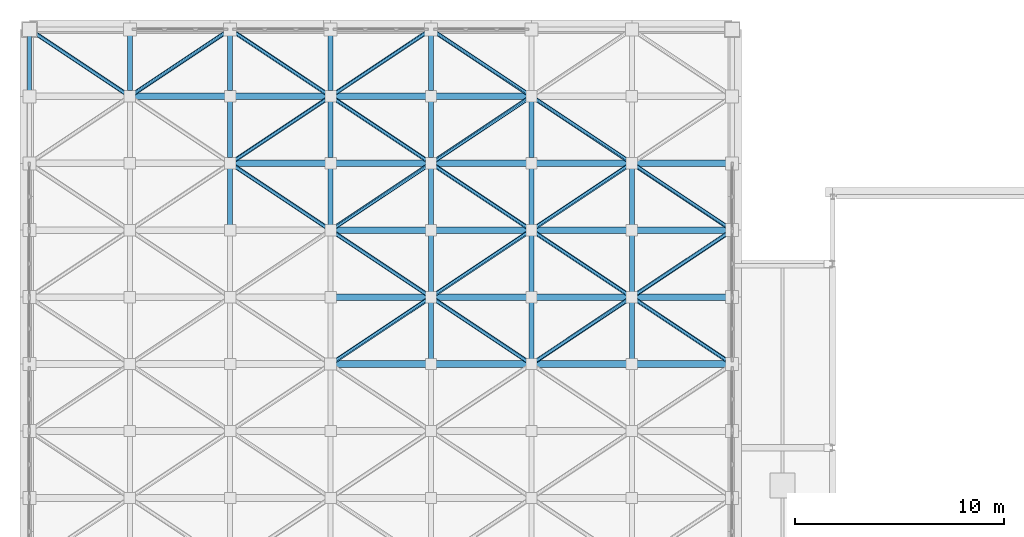
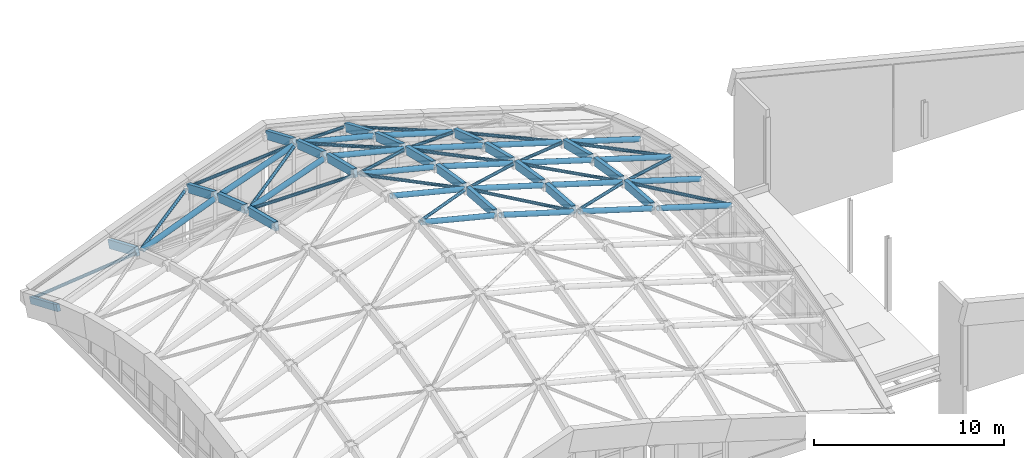
# One storey, part 6 of 14: 63 members.
"""IFC4 building model written with IfcOpenShell, lengths in metres."""

import ifcopenshell
import ifcopenshell.guid

model = None  # the IFC model being written
_history = None  # IfcOwnerHistory: only IFC2X3 demands one
_inside = {}  # id of a spatial element -> (the spatial element, [elements in it])
_under = {}  # id of a project, library or spatial element -> (it, [spatial elements below it])
_declared = {}  # id of a project -> (the project, [libraries it declares])
_typed = {}  # id of a type object -> (the type object, [elements of that type])
_made_of = {}  # id of a material, layer set ... -> (it, [elements and type objects made of it])


def new_model(schema):
    """Start an empty IFC model of exactly this schema.

    Asked for "IFC4X3", IfcOpenShell would pick the latest addendum, in which some entities
    have other attributes; the version numbers below select the first issue.
    IFC2X3 requires an IfcOwnerHistory on every rooted entity: one is made here for all.
    """
    global model, _history
    if schema == "IFC4X3":
        model = ifcopenshell.file(schema_version=(4, 3, 0, 0))
    else:
        model = ifcopenshell.file(schema=schema)
    _inside.clear()
    _under.clear()
    _declared.clear()
    _typed.clear()
    _made_of.clear()
    _history = None
    if model.schema == "IFC2X3":
        org = make("IfcOrganization", Name="unknown")
        user = make(
            "IfcPersonAndOrganization",
            ThePerson=make("IfcPerson", FamilyName="unknown"),
            TheOrganization=org,
        )
        app = make(
            "IfcApplication",
            ApplicationDeveloper=org,
            Version="unknown",
            ApplicationFullName="unknown",
            ApplicationIdentifier="unknown",
        )
        _history = make(
            "IfcOwnerHistory",
            OwningUser=user,
            OwningApplication=app,
            ChangeAction="ADDED",
            CreationDate=0,
        )
    return model


def make(cls, **values):
    """One entity of the class cls with the attributes given. An attribute that is None is left unset."""
    return model.create_entity(
        cls, **{name: value for name, value in values.items() if value is not None}
    )


def rooted(cls, **values):
    """An entity with a GlobalId (a new one), such as an element, a storey or a relation."""
    return make(cls, GlobalId=ifcopenshell.guid.new(), OwnerHistory=_history, **values)


def si_unit(unit_type, name, prefix=None):
    """IfcSIUnit, for example si_unit("LENGTHUNIT", "METRE", prefix="MILLI")."""
    return make("IfcSIUnit", UnitType=unit_type, Prefix=prefix, Name=name)


def assignment(units):
    """IfcUnitAssignment: the units of a project."""
    return None if units is None else make("IfcUnitAssignment", Units=units)


def point(xyz):
    """IfcCartesianPoint."""
    return None if xyz is None else make("IfcCartesianPoint", Coordinates=xyz)


def direction(xyz):
    """IfcDirection."""
    return None if xyz is None else make("IfcDirection", DirectionRatios=xyz)


def frame(location, z_axis=None, x_axis=None):
    """IfcAxis2Placement3D, a coordinate frame: its origin and axes. An axis left out is left unset."""
    return make(
        "IfcAxis2Placement3D",
        Location=point(location),
        Axis=direction(z_axis),
        RefDirection=direction(x_axis),
    )


def frame_2d(location, x_axis=None):
    """IfcAxis2Placement2D, a coordinate frame in the plane: its origin and x axis."""
    return make(
        "IfcAxis2Placement2D", Location=point(location), RefDirection=direction(x_axis)
    )


def origin():
    """The frame at (0, 0, 0) with its axes left unset."""
    return frame((0.0, 0.0, 0.0))


def origin_2d():
    """The frame at (0, 0) in the plane with its x axis left unset."""
    return frame_2d((0.0, 0.0))


def place(relative_to, where):
    """IfcLocalPlacement: puts the frame where relative to a parent placement (None: the world)."""
    return make(
        "IfcLocalPlacement", PlacementRelTo=relative_to, RelativePlacement=where
    )


def context(
    kind, dimensions, precision=None, world=None, true_north=None, identifier=None
):
    """IfcGeometricRepresentationContext, for example the 3D "Model" context."""
    return make(
        "IfcGeometricRepresentationContext",
        ContextIdentifier=identifier,
        ContextType=kind,
        CoordinateSpaceDimension=dimensions,
        Precision=precision,
        WorldCoordinateSystem=world,
        TrueNorth=true_north,
    )


def subcontext(parent, identifier, kind, view, scale=None):
    """IfcGeometricRepresentationSubContext, for example "Body" below "Model"."""
    return make(
        "IfcGeometricRepresentationSubContext",
        ContextIdentifier=identifier,
        ContextType=kind,
        ParentContext=parent,
        TargetScale=scale,
        TargetView=view,
    )


def project(units=None, contexts=None):
    """IfcProject with its units and contexts."""
    return rooted(
        "IfcProject",
        Name="project",
        RepresentationContexts=contexts,
        UnitsInContext=assignment(units),
    )


def spatial(cls, under=None, at=None, **own):
    """A site, building, storey or space (cls), placed at a placement, below another one or the project."""
    s = rooted(cls, ObjectPlacement=at, **own)
    if under is not None:
        _under.setdefault(under.id(), (under, []))[1].append(s)
    return s


def profile(cls, at=None, kind="AREA", **sizes):
    """A parametric profile (cls). Its sizes go by their IFC names, for example OverallWidth=200.0."""
    return make(cls, ProfileType=kind, Position=at, **sizes)


def rectangle(**sizes):
    """IfcRectangleProfileDef."""
    return profile("IfcRectangleProfileDef", **sizes)


def hollow_circle(**sizes):
    """IfcCircleHollowProfileDef."""
    return profile("IfcCircleHollowProfileDef", **sizes)


def extrude(swept, where, along, depth):
    """IfcExtrudedAreaSolid: the profile swept, set in the frame where, extruded along a direction by depth."""
    return make(
        "IfcExtrudedAreaSolid",
        SweptArea=swept,
        Position=where,
        ExtrudedDirection=direction(along),
        Depth=depth,
    )


def shape(context_of_items, identifier, shape_type, items):
    """IfcShapeRepresentation: the items that make up one representation, for example the "Body"."""
    return make(
        "IfcShapeRepresentation",
        ContextOfItems=context_of_items,
        RepresentationIdentifier=identifier,
        RepresentationType=shape_type,
        Items=items,
    )


def material(Name=None, Category=None):
    """IfcMaterial."""
    return make("IfcMaterial", Name=Name, Category=Category)


def material_profile(
    of_material, cross_section, Name=None, Category=None, Priority=None
):
    """IfcMaterialProfile: a cross section and its material."""
    return make(
        "IfcMaterialProfile",
        Name=Name,
        Material=of_material,
        Profile=cross_section,
        Priority=Priority,
        Category=Category,
    )


def profile_set(profiles, Name=None, composite=None):
    """IfcMaterialProfileSet."""
    return make(
        "IfcMaterialProfileSet",
        Name=Name,
        MaterialProfiles=profiles,
        CompositeProfile=composite,
    )


def made_of(thing, what):
    """Note that an element or type object is made of a material, layer set ...; save() writes the relation."""
    if what is not None:
        _made_of.setdefault(what.id(), (what, []))[1].append(thing)
    return thing


def type_object(cls, material=None, **own):
    """A type object (cls), such as IfcWallType, which elements share."""
    return made_of(rooted(cls, **own), material)


def element(
    cls,
    number,
    at=None,
    inside=None,
    cuts=None,
    type_object=None,
    material=None,
    context=None,
    identifier="Body",
    shape_type=None,
    held_by="IfcProductDefinitionShape",
    body=None,
    shapes=None,
    **own,
):
    """One element of the class cls, such as IfcWall. Its Tag is "e" and its number.

    at: its placement. inside: the storey or other place that contains it. cuts: it is an
    opening in that element (IfcRelVoidsElement). A single representation is given by context,
    identifier, shape_type and body (its items); several are given by shapes. held_by: the class
    of the entity that holds the representations. save() writes the other relations.
    """
    e = rooted(cls, Tag="e%d" % number, ObjectPlacement=at, **own)
    if body is not None:
        shapes = [shape(context, identifier, shape_type, body)]
    if shapes is not None:
        e.Representation = make(held_by, Representations=shapes)
    if inside is not None:
        _inside.setdefault(inside.id(), (inside, []))[1].append(e)
    if cuts is not None:
        rooted(
            "IfcRelVoidsElement", RelatingBuildingElement=cuts, RelatedOpeningElement=e
        )
    if type_object is not None:
        _typed.setdefault(type_object.id(), (type_object, []))[1].append(e)
    return made_of(e, material)


def aggregate(whole, parts):
    """IfcRelAggregates: a whole, such as a stair, and the parts it consists of."""
    return rooted("IfcRelAggregates", RelatingObject=whole, RelatedObjects=parts)


def save(model, path):
    """Write the relations noted so far, then the file.

    IfcRelAggregates (storeys below a building ...), IfcRelContainedInSpatialStructure (elements
    in a storey), IfcRelDefinesByType, IfcRelAssociatesMaterial and IfcRelDeclares: one each for
    every whole, place, type object, material and project.
    """
    for whole, parts in _under.values():
        aggregate(whole, parts)
    for where, things in _inside.values():
        rooted(
            "IfcRelContainedInSpatialStructure",
            RelatedElements=things,
            RelatingStructure=where,
        )
    for kind, things in _typed.values():
        rooted("IfcRelDefinesByType", RelatedObjects=things, RelatingType=kind)
    for what, things in _made_of.values():
        rooted("IfcRelAssociatesMaterial", RelatedObjects=things, RelatingMaterial=what)
    for by, libraries in _declared.values():
        rooted("IfcRelDeclares", RelatingContext=by, RelatedDefinitions=libraries)
    model.write(path)


model = new_model("IFC4")

# Units and contexts
model_context = context("Model", 3, precision=1e-05, world=origin(), true_north=direction((0.0, 1.0)))
body_context = subcontext(model_context, "Body", "Model", "MODEL_VIEW")
ifc_project = project(units=[si_unit("LENGTHUNIT", "METRE"), si_unit("AREAUNIT", "SQUARE_METRE"), si_unit("VOLUMEUNIT", "CUBIC_METRE"), si_unit("PLANEANGLEUNIT", "RADIAN"), si_unit("MASSUNIT", "GRAM", prefix="KILO")], contexts=[model_context])

# Site, building, storey
site_placement = place(None, origin())
site = spatial("IfcSite", under=ifc_project, at=site_placement, CompositionType="ELEMENT")
building_placement = place(site_placement, origin())
building = spatial("IfcBuilding", under=site, at=building_placement, Name="Dunescarp Central Library", CompositionType="ELEMENT")
storey_placement = place(building_placement, frame((0.0, 0.0, 31.800048828125)))
storey = spatial("IfcBuildingStorey", under=building, at=storey_placement, Name="ROOF", CompositionType="ELEMENT", Elevation=31.800048828125)

# Members
ifc_material_1 = material(Name="Steel S355J0", Category="steel")
ifc_material_profile_1 = material_profile(ifc_material_1, hollow_circle(Radius=0.161865234375, WallThickness=0.012451171875, at=origin_2d()), Name="CHS 323.9x12.5")
ifc_profile_set_1 = profile_set([ifc_material_profile_1], Name="Steel S355J0")
member_type_1 = type_object("IfcMemberType", Name="STR-GS-ARCH", PredefinedType="USERDEFINED", material=ifc_profile_set_1)
member_1_placement = place(storey_placement, frame((14.593994140625, 20.800048828125, 9.11083984375), z_axis=(0.970205626745, 0.0, -0.242282978835), x_axis=(0.0, 1.0, 0.0)))
element("IfcMember", 1, at=member_1_placement, inside=storey, type_object=member_type_1, Name="Gridshell arch rib GS-A-305", ObjectType="ARCH_SEGMENT", PredefinedType="USERDEFINED", context=body_context, shape_type="SweptSolid", body=[
    extrude(hollow_circle(Radius=0.161865234375, WallThickness=0.012451171875, at=origin_2d()), origin(), (0.0, 0.0, 1.0), 4.547607421875),
])
member_2_placement = place(storey_placement, frame((19.39111328125, 20.800048828125, 7.90185546875), z_axis=(0.957312244465, 0.0, -0.289055819173), x_axis=(0.0, 1.0, 0.0)))
element("IfcMember", 2, at=member_2_placement, inside=storey, type_object=member_type_1, Name="Gridshell arch rib GS-A-405", ObjectType="ARCH_SEGMENT", PredefinedType="USERDEFINED", context=body_context, shape_type="SweptSolid", body=[
    extrude(hollow_circle(Radius=0.161865234375, WallThickness=0.012451171875, at=origin_2d()), origin(), (0.0, 0.0, 1.0), 4.614990234375),
])
member_3_placement = place(storey_placement, frame((24.19091796875, 20.800048828125, 6.450927734375), z_axis=(0.956223495748, 0.0, -0.292637362923), x_axis=(0.0, 1.0, 0.0)))
element("IfcMember", 3, at=member_3_placement, inside=storey, type_object=member_type_1, Name="Gridshell arch rib GS-A-505", ObjectType="ARCH_SEGMENT", PredefinedType="USERDEFINED", context=body_context, shape_type="SweptSolid", body=[
    extrude(hollow_circle(Radius=0.161865234375, WallThickness=0.012451171875, at=origin_2d()), origin(), (0.0, 0.0, 1.0), 4.6201171875),
])
member_4_placement = place(storey_placement, frame((28.990966796875, 20.800048828125, 4.98095703125), z_axis=(0.955615584441, 0.0, -0.294616453669), x_axis=(0.0, 1.0, 0.0)))
element("IfcMember", 4, at=member_4_placement, inside=storey, type_object=member_type_1, Name="Gridshell arch rib GS-A-605", ObjectType="ARCH_SEGMENT", PredefinedType="USERDEFINED", context=body_context, shape_type="SweptSolid", body=[
    extrude(hollow_circle(Radius=0.161865234375, WallThickness=0.012451171875, at=origin_2d()), origin(), (0.0, 0.0, 1.0), 4.623046875),
])
member_5_placement = place(storey_placement, frame((14.593994140625, 24.0, 8.870849609375), z_axis=(0.970205626745, 0.0, -0.242282978835), x_axis=(0.0, 1.0, 0.0)))
element("IfcMember", 5, at=member_5_placement, inside=storey, type_object=member_type_1, Name="Gridshell arch rib GS-A-306", ObjectType="ARCH_SEGMENT", PredefinedType="USERDEFINED", context=body_context, shape_type="SweptSolid", body=[
    extrude(hollow_circle(Radius=0.161865234375, WallThickness=0.012451171875, at=origin_2d()), origin(), (0.0, 0.0, 1.0), 4.547607421875),
])
member_6_placement = place(storey_placement, frame((19.39111328125, 24.0, 7.661865234375), z_axis=(0.957312244465, 0.0, -0.289055819173), x_axis=(0.0, 1.0, 0.0)))
element("IfcMember", 6, at=member_6_placement, inside=storey, type_object=member_type_1, Name="Gridshell arch rib GS-A-406", ObjectType="ARCH_SEGMENT", PredefinedType="USERDEFINED", context=body_context, shape_type="SweptSolid", body=[
    extrude(hollow_circle(Radius=0.161865234375, WallThickness=0.012451171875, at=origin_2d()), origin(), (0.0, 0.0, 1.0), 4.614990234375),
])
member_7_placement = place(storey_placement, frame((24.19091796875, 24.0, 6.2109375), z_axis=(0.956223495748, 0.0, -0.292637362923), x_axis=(0.0, 1.0, 0.0)))
element("IfcMember", 7, at=member_7_placement, inside=storey, type_object=member_type_1, Name="Gridshell arch rib GS-A-506", ObjectType="ARCH_SEGMENT", PredefinedType="USERDEFINED", context=body_context, shape_type="SweptSolid", body=[
    extrude(hollow_circle(Radius=0.161865234375, WallThickness=0.012451171875, at=origin_2d()), origin(), (0.0, 0.0, 1.0), 4.6201171875),
])
member_8_placement = place(storey_placement, frame((28.990966796875, 24.0, 4.740966796875), z_axis=(0.955615584441, 0.0, -0.294616453669), x_axis=(0.0, 1.0, 0.0)))
element("IfcMember", 8, at=member_8_placement, inside=storey, type_object=member_type_1, Name="Gridshell arch rib GS-A-606", ObjectType="ARCH_SEGMENT", PredefinedType="USERDEFINED", context=body_context, shape_type="SweptSolid", body=[
    extrude(hollow_circle(Radius=0.161865234375, WallThickness=0.012451171875, at=origin_2d()), origin(), (0.0, 0.0, 1.0), 4.623046875),
])
member_9_placement = place(storey_placement, frame((14.593994140625, 27.199951171875, 8.350830078125), z_axis=(0.970205626745, 0.0, -0.242282978835), x_axis=(0.0, 1.0, 0.0)))
element("IfcMember", 9, at=member_9_placement, inside=storey, type_object=member_type_1, Name="Gridshell arch rib GS-A-307", ObjectType="ARCH_SEGMENT", PredefinedType="USERDEFINED", context=body_context, shape_type="SweptSolid", body=[
    extrude(hollow_circle(Radius=0.161865234375, WallThickness=0.012451171875, at=origin_2d()), origin(), (0.0, 0.0, 1.0), 4.547607421875),
])
member_10_placement = place(storey_placement, frame((19.39111328125, 27.199951171875, 7.141845703125), z_axis=(0.957312244465, 0.0, -0.289055819173), x_axis=(0.0, 1.0, 0.0)))
element("IfcMember", 10, at=member_10_placement, inside=storey, type_object=member_type_1, Name="Gridshell arch rib GS-A-407", ObjectType="ARCH_SEGMENT", PredefinedType="USERDEFINED", context=body_context, shape_type="SweptSolid", body=[
    extrude(hollow_circle(Radius=0.161865234375, WallThickness=0.012451171875, at=origin_2d()), origin(), (0.0, 0.0, 1.0), 4.614990234375),
])
member_11_placement = place(storey_placement, frame((24.19091796875, 27.199951171875, 5.69091796875), z_axis=(0.956223495748, 0.0, -0.292637362923), x_axis=(0.0, 1.0, 0.0)))
element("IfcMember", 11, at=member_11_placement, inside=storey, type_object=member_type_1, Name="Gridshell arch rib GS-A-507", ObjectType="ARCH_SEGMENT", PredefinedType="USERDEFINED", context=body_context, shape_type="SweptSolid", body=[
    extrude(hollow_circle(Radius=0.161865234375, WallThickness=0.012451171875, at=origin_2d()), origin(), (0.0, 0.0, 1.0), 4.6201171875),
])
member_12_placement = place(storey_placement, frame((28.990966796875, 27.199951171875, 4.220947265625), z_axis=(0.955615584441, 0.0, -0.294616453669), x_axis=(0.0, 1.0, 0.0)))
element("IfcMember", 12, at=member_12_placement, inside=storey, type_object=member_type_1, Name="Gridshell arch rib GS-A-607", ObjectType="ARCH_SEGMENT", PredefinedType="USERDEFINED", context=body_context, shape_type="SweptSolid", body=[
    extrude(hollow_circle(Radius=0.161865234375, WallThickness=0.012451171875, at=origin_2d()), origin(), (0.0, 0.0, 1.0), 4.623046875),
])
member_13_placement = place(storey_placement, frame((9.7880859375, 30.39990234375, 5.9189453125), z_axis=(0.939561575961, 0.0, 0.342379971637), x_axis=(0.0, 1.0, 0.0)))
element("IfcMember", 13, at=member_13_placement, inside=storey, type_object=member_type_1, Name="Gridshell arch rib GS-A-208", ObjectType="ARCH_SEGMENT", PredefinedType="USERDEFINED", context=body_context, shape_type="SweptSolid", body=[
    extrude(hollow_circle(Radius=0.161865234375, WallThickness=0.012451171875, at=origin_2d()), origin(), (0.0, 0.0, 1.0), 4.70849609375),
])
member_14_placement = place(storey_placement, frame((14.593994140625, 30.39990234375, 7.551025390625), z_axis=(0.970193006031, 0.0, -0.24233351202), x_axis=(0.0, 1.0, 0.0)))
element("IfcMember", 14, at=member_14_placement, inside=storey, type_object=member_type_1, Name="Gridshell arch rib GS-A-308", ObjectType="ARCH_SEGMENT", PredefinedType="USERDEFINED", context=body_context, shape_type="SweptSolid", body=[
    extrude(hollow_circle(Radius=0.161865234375, WallThickness=0.012451171875, at=origin_2d()), origin(), (0.0, 0.0, 1.0), 4.547607421875),
])
member_15_placement = place(storey_placement, frame((19.39111328125, 30.39990234375, 6.342041015625), z_axis=(0.957312244465, 0.0, -0.289055819173), x_axis=(0.0, 1.0, 0.0)))
element("IfcMember", 15, at=member_15_placement, inside=storey, type_object=member_type_1, Name="Gridshell arch rib GS-A-408", ObjectType="ARCH_SEGMENT", PredefinedType="USERDEFINED", context=body_context, shape_type="SweptSolid", body=[
    extrude(hollow_circle(Radius=0.161865234375, WallThickness=0.012451171875, at=origin_2d()), origin(), (0.0, 0.0, 1.0), 4.614990234375),
])
member_16_placement = place(storey_placement, frame((24.19091796875, 30.39990234375, 4.890869140625), z_axis=(0.956238281278, 0.0, -0.292589045283), x_axis=(0.0, 1.0, 0.0)))
element("IfcMember", 16, at=member_16_placement, inside=storey, type_object=member_type_1, Name="Gridshell arch rib GS-A-508", ObjectType="ARCH_SEGMENT", PredefinedType="USERDEFINED", context=body_context, shape_type="SweptSolid", body=[
    extrude(hollow_circle(Radius=0.161865234375, WallThickness=0.012451171875, at=origin_2d()), origin(), (0.0, 0.0, 1.0), 4.6201171875),
])
member_17_placement = place(storey_placement, frame((28.990966796875, 30.39990234375, 3.4208984375), z_axis=(0.955615584441, 0.0, -0.294616453669), x_axis=(0.0, 1.0, 0.0)))
element("IfcMember", 17, at=member_17_placement, inside=storey, type_object=member_type_1, Name="Gridshell arch rib GS-A-608", ObjectType="ARCH_SEGMENT", PredefinedType="USERDEFINED", context=body_context, shape_type="SweptSolid", body=[
    extrude(hollow_circle(Radius=0.161865234375, WallThickness=0.012451171875, at=origin_2d()), origin(), (0.0, 0.0, 1.0), 4.623046875),
])
member_18_placement = place(storey_placement, frame((4.986083984375, 33.60009765625, 2.94384765625), z_axis=(0.929845717623, 0.0, 0.367949645221), x_axis=(0.0, 1.0, 0.0)))
element("IfcMember", 18, at=member_18_placement, inside=storey, type_object=member_type_1, Name="Gridshell arch rib GS-A-109", ObjectType="ARCH_SEGMENT", PredefinedType="USERDEFINED", context=body_context, shape_type="SweptSolid", body=[
    extrude(hollow_circle(Radius=0.161865234375, WallThickness=0.012451171875, at=origin_2d()), origin(), (0.0, 0.0, 1.0), 4.761962890625),
])
member_19_placement = place(storey_placement, frame((9.7880859375, 33.60009765625, 4.8388671875), z_axis=(0.939561575961, 0.0, 0.342379971637), x_axis=(0.0, 1.0, 0.0)))
element("IfcMember", 19, at=member_19_placement, inside=storey, type_object=member_type_1, Name="Gridshell arch rib GS-A-209", ObjectType="ARCH_SEGMENT", PredefinedType="USERDEFINED", context=body_context, shape_type="SweptSolid", body=[
    extrude(hollow_circle(Radius=0.161865234375, WallThickness=0.012451171875, at=origin_2d()), origin(), (0.0, 0.0, 1.0), 4.70849609375),
])
member_20_placement = place(storey_placement, frame((14.593994140625, 33.60009765625, 6.470947265625), z_axis=(0.970193006031, 0.0, -0.24233351202), x_axis=(0.0, 1.0, 0.0)))
element("IfcMember", 20, at=member_20_placement, inside=storey, type_object=member_type_1, Name="Gridshell arch rib GS-A-309", ObjectType="ARCH_SEGMENT", PredefinedType="USERDEFINED", context=body_context, shape_type="SweptSolid", body=[
    extrude(hollow_circle(Radius=0.161865234375, WallThickness=0.012451171875, at=origin_2d()), origin(), (0.0, 0.0, 1.0), 4.547607421875),
])
member_21_placement = place(storey_placement, frame((19.39111328125, 33.60009765625, 5.261962890625), z_axis=(0.957312244465, 0.0, -0.289055819173), x_axis=(0.0, 1.0, 0.0)))
element("IfcMember", 21, at=member_21_placement, inside=storey, type_object=member_type_1, Name="Gridshell arch rib GS-A-409", ObjectType="ARCH_SEGMENT", PredefinedType="USERDEFINED", context=body_context, shape_type="SweptSolid", body=[
    extrude(hollow_circle(Radius=0.161865234375, WallThickness=0.012451171875, at=origin_2d()), origin(), (0.0, 0.0, 1.0), 4.614990234375),
])
ifc_material_profile_2 = material_profile(ifc_material_1, hollow_circle(Radius=0.096923828125, WallThickness=0.008056640625, at=origin_2d()), Name="CHS 193.7x8")
ifc_profile_set_2 = profile_set([ifc_material_profile_2], Name="Steel S355J0")
member_type_2 = type_object("IfcMemberType", Name="STR-GS-DIAG", PredefinedType="BRACE", material=ifc_profile_set_2)
member_22_placement = place(storey_placement, frame((4.656005859375, 33.696044921875, 2.77001953125), z_axis=(-0.721761808249, 0.48118755692, -0.49751223826), x_axis=(-0.554710585772, -0.83204336788, 0.0)))
element("IfcMember", 22, at=member_22_placement, inside=storey, type_object=member_type_2, Name="Gridshell diagonal GS-D-009", PredefinedType="BRACE", context=body_context, shape_type="SweptSolid", body=[
    extrude(hollow_circle(Radius=0.096923828125, WallThickness=0.008056640625, at=origin_2d()), origin(), (0.0, 0.0, 1.0), 6.251220703125),
])
member_23_placement = place(storey_placement, frame((4.966064453125, 33.7099609375, 2.888916015625), z_axis=(0.828328388282, 0.552460319511, 0.093057383001), x_axis=(-0.554868032186, 0.831938379243, 0.0)))
element("IfcMember", 23, at=member_23_placement, inside=storey, type_object=member_type_2, Name="Gridshell diagonal GS-D-109", PredefinedType="BRACE", context=body_context, shape_type="SweptSolid", body=[
    extrude(hollow_circle(Radius=0.096923828125, WallThickness=0.008056640625, at=origin_2d()), origin(), (0.0, 0.0, 1.0), 5.39404296875),
])
member_24_placement = place(storey_placement, frame((14.248046875, 27.301025390625, 8.31884765625), z_axis=(-0.761007707849, 0.507448667049, -0.404182036841), x_axis=(-0.55478359864, -0.83199468669, 0.0)))
element("IfcMember", 24, at=member_24_placement, inside=storey, type_object=member_type_2, Name="Gridshell diagonal GS-D-207", PredefinedType="BRACE", context=body_context, shape_type="SweptSolid", body=[
    extrude(hollow_circle(Radius=0.096923828125, WallThickness=0.008056640625, at=origin_2d()), origin(), (0.0, 0.0, 1.0), 5.907958984375),
])
member_25_placement = place(storey_placement, frame((9.764892578125, 30.510009765625, 5.873046875), z_axis=(0.826507561377, 0.550974947797, 0.115377024952), x_axis=(-0.554679222282, 0.832064276585, 0.0)))
element("IfcMember", 25, at=member_25_placement, inside=storey, type_object=member_type_2, Name="Gridshell diagonal GS-D-208", PredefinedType="BRACE", context=body_context, shape_type="SweptSolid", body=[
    extrude(hollow_circle(Radius=0.096923828125, WallThickness=0.008056640625, at=origin_2d()), origin(), (0.0, 0.0, 1.0), 5.408447265625),
])
member_26_placement = place(storey_placement, frame((14.25390625, 33.697998046875, 6.425048828125), z_axis=(-0.732506249023, 0.488125914643, -0.474518373297), x_axis=(-0.554533775076, -0.832161217734, 0.0)))
element("IfcMember", 26, at=member_26_placement, inside=storey, type_object=member_type_2, Name="Gridshell diagonal GS-D-209", PredefinedType="BRACE", context=body_context, shape_type="SweptSolid", body=[
    extrude(hollow_circle(Radius=0.096923828125, WallThickness=0.008056640625, at=origin_2d()), origin(), (0.0, 0.0, 1.0), 6.154052734375),
])
member_27_placement = place(storey_placement, frame((14.56103515625, 20.907958984375, 9.112060546875), z_axis=(0.807355358119, 0.538016821627, -0.242312247653), x_axis=(-0.554543140414, 0.832154976804, 0.0)))
element("IfcMember", 27, at=member_27_placement, inside=storey, type_object=member_type_2, Name="Gridshell diagonal GS-D-305", PredefinedType="BRACE", context=body_context, shape_type="SweptSolid", body=[
    extrude(hollow_circle(Radius=0.096923828125, WallThickness=0.008056640625, at=origin_2d()), origin(), (0.0, 0.0, 1.0), 5.546630859375),
])
member_28_placement = place(storey_placement, frame((19.034912109375, 24.110107421875, 7.742919921875), z_axis=(-0.826315402945, 0.550876935296, 0.117206898326), x_axis=(-0.554700196225, -0.832050294338, 0.0)))
element("IfcMember", 28, at=member_28_placement, inside=storey, type_object=member_type_2, Name="Gridshell diagonal GS-D-306", PredefinedType="BRACE", context=body_context, shape_type="SweptSolid", body=[
    extrude(hollow_circle(Radius=0.096923828125, WallThickness=0.008056640625, at=origin_2d()), origin(), (0.0, 0.0, 1.0), 5.409423828125),
])
member_29_placement = place(storey_placement, frame((14.556884765625, 27.304931640625, 8.333984375), z_axis=(0.786256858445, 0.524042870497, -0.327382379535), x_axis=(-0.554606139094, 0.832112991414, 0.0)))
element("IfcMember", 29, at=member_29_placement, inside=storey, type_object=member_type_2, Name="Gridshell diagonal GS-D-307", PredefinedType="BRACE", context=body_context, shape_type="SweptSolid", body=[
    extrude(hollow_circle(Radius=0.096923828125, WallThickness=0.008056640625, at=origin_2d()), origin(), (0.0, 0.0, 1.0), 5.70556640625),
])
member_30_placement = place(storey_placement, frame((19.033935546875, 30.510986328125, 6.404052734375), z_axis=(-0.831925887891, 0.554496037402, 0.020819739722), x_axis=(-0.554616252844, -0.832106250476, 0.0)))
element("IfcMember", 30, at=member_30_placement, inside=storey, type_object=member_type_2, Name="Gridshell diagonal GS-D-308", PredefinedType="BRACE", context=body_context, shape_type="SweptSolid", body=[
    extrude(hollow_circle(Radius=0.096923828125, WallThickness=0.008056640625, at=origin_2d()), origin(), (0.0, 0.0, 1.0), 5.37060546875),
])
member_31_placement = place(storey_placement, frame((14.552001953125, 33.700927734375, 6.43896484375), z_axis=(0.760486025427, 0.507100803228, -0.405598052875), x_axis=(-0.55478359864, 0.83199468669, 0.0)))
element("IfcMember", 31, at=member_31_placement, inside=storey, type_object=member_type_2, Name="Gridshell diagonal GS-D-309", PredefinedType="BRACE", context=body_context, shape_type="SweptSolid", body=[
    extrude(hollow_circle(Radius=0.096923828125, WallThickness=0.008056640625, at=origin_2d()), origin(), (0.0, 0.0, 1.0), 5.912109375),
])
member_32_placement = place(storey_placement, frame((23.8369140625, 20.908935546875, 6.551025390625), z_axis=(-0.814358991503, 0.542831928033, 0.205311789399), x_axis=(-0.554647802311, -0.832085221232, 0.0)))
element("IfcMember", 32, at=member_32_placement, inside=storey, type_object=member_type_2, Name="Gridshell diagonal GS-D-405", PredefinedType="BRACE", context=body_context, shape_type="SweptSolid", body=[
    extrude(hollow_circle(Radius=0.096923828125, WallThickness=0.008056640625, at=origin_2d()), origin(), (0.0, 0.0, 1.0), 5.49365234375),
])
member_33_placement = place(storey_placement, frame((19.35693359375, 24.10498046875, 7.655029296875), z_axis=(0.787506105044, 0.524875497604, -0.323016789862), x_axis=(-0.554606139094, 0.832112991414, 0.0)))
element("IfcMember", 33, at=member_33_placement, inside=storey, type_object=member_type_2, Name="Gridshell diagonal GS-D-406", PredefinedType="BRACE", context=body_context, shape_type="SweptSolid", body=[
    extrude(hollow_circle(Radius=0.096923828125, WallThickness=0.008056640625, at=origin_2d()), origin(), (0.0, 0.0, 1.0), 5.696533203125),
])
member_34_placement = place(storey_placement, frame((23.8349609375, 27.31005859375, 5.77197265625), z_axis=(-0.826807376858, 0.551204917906, 0.112083451273), x_axis=(-0.554700196225, -0.832050294338, 0.0)))
element("IfcMember", 34, at=member_34_placement, inside=storey, type_object=member_type_2, Name="Gridshell diagonal GS-D-407", PredefinedType="BRACE", context=body_context, shape_type="SweptSolid", body=[
    extrude(hollow_circle(Radius=0.096923828125, WallThickness=0.008056640625, at=origin_2d()), origin(), (0.0, 0.0, 1.0), 5.40625),
])
member_35_placement = place(storey_placement, frame((19.35205078125, 30.501953125, 6.320068359375), z_axis=(0.762044563639, 0.507836594351, -0.401733837839), x_axis=(-0.554554193828, 0.832147610768, 0.0)))
element("IfcMember", 35, at=member_35_placement, inside=storey, type_object=member_type_2, Name="Gridshell diagonal GS-D-408", PredefinedType="BRACE", context=body_context, shape_type="SweptSolid", body=[
    extrude(hollow_circle(Radius=0.096923828125, WallThickness=0.008056640625, at=origin_2d()), origin(), (0.0, 0.0, 1.0), 5.899658203125),
])
member_36_placement = place(storey_placement, frame((23.833984375, 33.7109375, 3.873046875), z_axis=(-0.832004486533, 0.554548425044, 0.015639011167), x_axis=(-0.554616252844, -0.832106250476, 0.0)))
element("IfcMember", 36, at=member_36_placement, inside=storey, type_object=member_type_2, Name="Gridshell diagonal GS-D-409", PredefinedType="BRACE", context=body_context, shape_type="SweptSolid", body=[
    extrude(hollow_circle(Radius=0.096923828125, WallThickness=0.008056640625, at=origin_2d()), origin(), (0.0, 0.0, 1.0), 5.3701171875),
])
member_37_placement = place(storey_placement, frame((24.159912109375, 20.906005859375, 6.452880859375), z_axis=(0.797639146167, 0.532005749861, -0.284150795558), x_axis=(-0.55487804361, 0.831931701956, 0.0)))
element("IfcMember", 37, at=member_37_placement, inside=storey, type_object=member_type_2, Name="Gridshell diagonal GS-D-505", PredefinedType="BRACE", context=body_context, shape_type="SweptSolid", body=[
    extrude(hollow_circle(Radius=0.096923828125, WallThickness=0.008056640625, at=origin_2d()), origin(), (0.0, 0.0, 1.0), 5.616455078125),
])
member_38_placement = place(storey_placement, frame((28.635986328125, 24.10888671875, 4.83203125), z_axis=(-0.820896418777, 0.547428604868, 0.162637610075), x_axis=(-0.55481548994, -0.831973420322, 0.0)))
element("IfcMember", 38, at=member_38_placement, inside=storey, type_object=member_type_2, Name="Gridshell diagonal GS-D-506", PredefinedType="BRACE", context=body_context, shape_type="SweptSolid", body=[
    extrude(hollow_circle(Radius=0.096923828125, WallThickness=0.008056640625, at=origin_2d()), origin(), (0.0, 0.0, 1.0), 5.447509765625),
])
member_39_placement = place(storey_placement, frame((24.155029296875, 27.302978515625, 5.677001953125), z_axis=(0.774178064751, 0.516259028117, -0.366230719555), x_axis=(-0.554804588327, 0.831980690143, 0.0)))
element("IfcMember", 39, at=member_39_placement, inside=storey, type_object=member_type_2, Name="Gridshell diagonal GS-D-507", PredefinedType="BRACE", context=body_context, shape_type="SweptSolid", body=[
    extrude(hollow_circle(Radius=0.096923828125, WallThickness=0.008056640625, at=origin_2d()), origin(), (0.0, 0.0, 1.0), 5.7998046875),
])
member_40_placement = place(storey_placement, frame((28.634033203125, 30.510986328125, 3.492919921875), z_axis=(-0.830200709944, 0.553346170149, 0.067637247064), x_axis=(-0.554616252844, -0.832106250476, 0.0)))
element("IfcMember", 40, at=member_40_placement, inside=storey, type_object=member_type_2, Name="Gridshell diagonal GS-D-508", PredefinedType="BRACE", context=body_context, shape_type="SweptSolid", body=[
    extrude(hollow_circle(Radius=0.096923828125, WallThickness=0.008056640625, at=origin_2d()), origin(), (0.0, 0.0, 1.0), 5.3818359375),
])
member_41_placement = place(storey_placement, frame((33.43701171875, 20.907958984375, 3.60205078125), z_axis=(-0.813353612969, 0.542487242787, 0.210151116305), x_axis=(-0.554878276472, -0.831931546643, 0.0)))
element("IfcMember", 41, at=member_41_placement, inside=storey, type_object=member_type_2, Name="Gridshell diagonal GS-D-605", PredefinedType="BRACE", context=body_context, shape_type="SweptSolid", body=[
    extrude(hollow_circle(Radius=0.096923828125, WallThickness=0.008056640625, at=origin_2d()), origin(), (0.0, 0.0, 1.0), 5.500732421875),
])
member_42_placement = place(storey_placement, frame((28.95703125, 24.10498046875, 4.73388671875), z_axis=(0.786256858445, 0.524042870497, -0.327382379535), x_axis=(-0.554606139094, 0.832112991414, 0.0)))
element("IfcMember", 42, at=member_42_placement, inside=storey, type_object=member_type_2, Name="Gridshell diagonal GS-D-606", PredefinedType="BRACE", context=body_context, shape_type="SweptSolid", body=[
    extrude(hollow_circle(Radius=0.096923828125, WallThickness=0.008056640625, at=origin_2d()), origin(), (0.0, 0.0, 1.0), 5.70556640625),
])
member_43_placement = place(storey_placement, frame((33.43505859375, 27.31005859375, 2.822998046875), z_axis=(-0.826315402945, 0.550876935296, 0.117206898326), x_axis=(-0.554700196225, -0.832050294338, 0.0)))
element("IfcMember", 43, at=member_43_placement, inside=storey, type_object=member_type_2, Name="Gridshell diagonal GS-D-607", PredefinedType="BRACE", context=body_context, shape_type="SweptSolid", body=[
    extrude(hollow_circle(Radius=0.096923828125, WallThickness=0.008056640625, at=origin_2d()), origin(), (0.0, 0.0, 1.0), 5.409423828125),
])
ifc_material_2 = material(Name="Glulam GL28h", Category="wood")
ifc_material_profile_3 = material_profile(ifc_material_2, rectangle(XDim=0.239990234375, YDim=0.52001953125, at=origin_2d()), Name="GL28h 240x520")
ifc_profile_set_3 = profile_set([ifc_material_profile_3], Name="Glulam GL28h")
member_type_3 = type_object("IfcMemberType", Name="STR-GS-GLULAM", PredefinedType="CHORD", material=ifc_profile_set_3)
member_44_placement = place(storey_placement, frame((4.800048828125, 33.783935546875, 2.7919921875), z_axis=(0.0, 0.920273791564, -0.39127502931), x_axis=(-1.0, 0.0, 0.0)))
element("IfcMember", 44, at=member_44_placement, inside=storey, type_object=member_type_3, Name="Gridshell glulam rib GS-T-109", PredefinedType="CHORD", context=body_context, shape_type="SweptSolid", body=[
    extrude(rectangle(XDim=0.239990234375, YDim=0.52001953125, at=origin_2d()), origin(), (0.0, 0.0, 1.0), 3.077392578125),
])
member_45_placement = place(storey_placement, frame((9.60009765625, 27.39404296875, 6.600830078125), z_axis=(0.0, 0.970231625732, -0.242178843895), x_axis=(-1.0, 0.0, 0.0)))
element("IfcMember", 45, at=member_45_placement, inside=storey, type_object=member_type_3, Name="Gridshell glulam rib GS-T-207", PredefinedType="CHORD", context=body_context, shape_type="SweptSolid", body=[
    extrude(rectangle(XDim=0.239990234375, YDim=0.52001953125, at=origin_2d()), origin(), (0.0, 0.0, 1.0), 2.898193359375),
])
member_46_placement = place(storey_placement, frame((9.60009765625, 30.589111328125, 5.785888671875), z_axis=(0.0, 0.947537601142, -0.31964432487), x_axis=(-1.0, 0.0, 0.0)))
element("IfcMember", 46, at=member_46_placement, inside=storey, type_object=member_type_3, Name="Gridshell glulam rib GS-T-208", PredefinedType="CHORD", context=body_context, shape_type="SweptSolid", body=[
    extrude(rectangle(XDim=0.239990234375, YDim=0.52001953125, at=origin_2d()), origin(), (0.0, 0.0, 1.0), 2.97802734375),
])
member_47_placement = place(storey_placement, frame((9.60009765625, 33.783935546875, 4.69189453125), z_axis=(0.0, 0.920302356578, -0.391207837956), x_axis=(-1.0, 0.0, 0.0)))
element("IfcMember", 47, at=member_47_placement, inside=storey, type_object=member_type_3, Name="Gridshell glulam rib GS-T-209", PredefinedType="CHORD", context=body_context, shape_type="SweptSolid", body=[
    extrude(rectangle(XDim=0.239990234375, YDim=0.52001953125, at=origin_2d()), origin(), (0.0, 0.0, 1.0), 3.077392578125),
])
member_48_placement = place(storey_placement, frame((14.39990234375, 27.39404296875, 8.350830078125), z_axis=(0.0, 0.970231625732, -0.242178843895), x_axis=(-1.0, 0.0, 0.0)))
element("IfcMember", 48, at=member_48_placement, inside=storey, type_object=member_type_3, Name="Gridshell glulam rib GS-T-307", PredefinedType="CHORD", context=body_context, shape_type="SweptSolid", body=[
    extrude(rectangle(XDim=0.239990234375, YDim=0.52001953125, at=origin_2d()), origin(), (0.0, 0.0, 1.0), 2.898193359375),
])
member_49_placement = place(storey_placement, frame((14.39990234375, 30.589111328125, 7.535888671875), z_axis=(0.0, 0.947537601142, -0.31964432487), x_axis=(-1.0, 0.0, 0.0)))
element("IfcMember", 49, at=member_49_placement, inside=storey, type_object=member_type_3, Name="Gridshell glulam rib GS-T-308", PredefinedType="CHORD", context=body_context, shape_type="SweptSolid", body=[
    extrude(rectangle(XDim=0.239990234375, YDim=0.52001953125, at=origin_2d()), origin(), (0.0, 0.0, 1.0), 2.97802734375),
])
member_50_placement = place(storey_placement, frame((14.39990234375, 33.783935546875, 6.44189453125), z_axis=(0.0, 0.920302356578, -0.391207837956), x_axis=(-1.0, 0.0, 0.0)))
element("IfcMember", 50, at=member_50_placement, inside=storey, type_object=member_type_3, Name="Gridshell glulam rib GS-T-309", PredefinedType="CHORD", context=body_context, shape_type="SweptSolid", body=[
    extrude(rectangle(XDim=0.239990234375, YDim=0.52001953125, at=origin_2d()), origin(), (0.0, 0.0, 1.0), 3.077392578125),
])
member_51_placement = place(storey_placement, frame((19.199951171875, 20.9990234375, 7.945068359375), z_axis=(0.0, 0.997197851688, -0.074809388368), x_axis=(-1.0, 0.0, 0.0)))
element("IfcMember", 51, at=member_51_placement, inside=storey, type_object=member_type_3, Name="Gridshell glulam rib GS-T-405", PredefinedType="CHORD", context=body_context, shape_type="SweptSolid", body=[
    extrude(rectangle(XDim=0.239990234375, YDim=0.52001953125, at=origin_2d()), origin(), (0.0, 0.0, 1.0), 2.809814453125),
])
member_52_placement = place(storey_placement, frame((19.199951171875, 24.197021484375, 7.68798828125), z_axis=(0.0, 0.987047465307, -0.160428492578), x_axis=(-1.0, 0.0, 0.0)))
element("IfcMember", 52, at=member_52_placement, inside=storey, type_object=member_type_3, Name="Gridshell glulam rib GS-T-406", PredefinedType="CHORD", context=body_context, shape_type="SweptSolid", body=[
    extrude(rectangle(XDim=0.239990234375, YDim=0.52001953125, at=origin_2d()), origin(), (0.0, 0.0, 1.0), 2.8427734375),
])
member_53_placement = place(storey_placement, frame((19.199951171875, 27.39404296875, 7.15087890625), z_axis=(0.0, 0.970231625732, -0.242178843895), x_axis=(-1.0, 0.0, 0.0)))
element("IfcMember", 53, at=member_53_placement, inside=storey, type_object=member_type_3, Name="Gridshell glulam rib GS-T-407", PredefinedType="CHORD", context=body_context, shape_type="SweptSolid", body=[
    extrude(rectangle(XDim=0.239990234375, YDim=0.52001953125, at=origin_2d()), origin(), (0.0, 0.0, 1.0), 2.898193359375),
])
member_54_placement = place(storey_placement, frame((19.199951171875, 30.589111328125, 6.3359375), z_axis=(0.0, 0.947537601142, -0.31964432487), x_axis=(-1.0, 0.0, 0.0)))
element("IfcMember", 54, at=member_54_placement, inside=storey, type_object=member_type_3, Name="Gridshell glulam rib GS-T-408", PredefinedType="CHORD", context=body_context, shape_type="SweptSolid", body=[
    extrude(rectangle(XDim=0.239990234375, YDim=0.52001953125, at=origin_2d()), origin(), (0.0, 0.0, 1.0), 2.97802734375),
])
member_55_placement = place(storey_placement, frame((19.199951171875, 33.783935546875, 5.241943359375), z_axis=(0.0, 0.920273791564, -0.39127502931), x_axis=(-1.0, 0.0, 0.0)))
element("IfcMember", 55, at=member_55_placement, inside=storey, type_object=member_type_3, Name="Gridshell glulam rib GS-T-409", PredefinedType="CHORD", context=body_context, shape_type="SweptSolid", body=[
    extrude(rectangle(XDim=0.239990234375, YDim=0.52001953125, at=origin_2d()), origin(), (0.0, 0.0, 1.0), 3.077392578125),
])
member_56_placement = place(storey_placement, frame((24.0, 20.9990234375, 6.494873046875), z_axis=(0.0, 0.997204329709, -0.074722987153), x_axis=(-1.0, 0.0, 0.0)))
element("IfcMember", 56, at=member_56_placement, inside=storey, type_object=member_type_3, Name="Gridshell glulam rib GS-T-505", PredefinedType="CHORD", context=body_context, shape_type="SweptSolid", body=[
    extrude(rectangle(XDim=0.239990234375, YDim=0.52001953125, at=origin_2d()), origin(), (0.0, 0.0, 1.0), 2.809814453125),
])
member_57_placement = place(storey_placement, frame((24.0, 24.197021484375, 6.238037109375), z_axis=(0.0, 0.987047465307, -0.160428492578), x_axis=(-1.0, 0.0, 0.0)))
element("IfcMember", 57, at=member_57_placement, inside=storey, type_object=member_type_3, Name="Gridshell glulam rib GS-T-506", PredefinedType="CHORD", context=body_context, shape_type="SweptSolid", body=[
    extrude(rectangle(XDim=0.239990234375, YDim=0.52001953125, at=origin_2d()), origin(), (0.0, 0.0, 1.0), 2.8427734375),
])
member_58_placement = place(storey_placement, frame((24.0, 27.39404296875, 5.700927734375), z_axis=(0.0, 0.970231625732, -0.242178843895), x_axis=(-1.0, 0.0, 0.0)))
element("IfcMember", 58, at=member_58_placement, inside=storey, type_object=member_type_3, Name="Gridshell glulam rib GS-T-507", PredefinedType="CHORD", context=body_context, shape_type="SweptSolid", body=[
    extrude(rectangle(XDim=0.239990234375, YDim=0.52001953125, at=origin_2d()), origin(), (0.0, 0.0, 1.0), 2.898193359375),
])
member_59_placement = place(storey_placement, frame((24.0, 30.589111328125, 4.885986328125), z_axis=(0.0, 0.947512768906, -0.319717926867), x_axis=(-1.0, 0.0, 0.0)))
element("IfcMember", 59, at=member_59_placement, inside=storey, type_object=member_type_3, Name="Gridshell glulam rib GS-T-508", PredefinedType="CHORD", context=body_context, shape_type="SweptSolid", body=[
    extrude(rectangle(XDim=0.239990234375, YDim=0.52001953125, at=origin_2d()), origin(), (0.0, 0.0, 1.0), 2.97802734375),
])
member_60_placement = place(storey_placement, frame((28.800048828125, 20.9990234375, 5.02490234375), z_axis=(0.0, 0.997204329709, -0.074722987153), x_axis=(-1.0, 0.0, 0.0)))
element("IfcMember", 60, at=member_60_placement, inside=storey, type_object=member_type_3, Name="Gridshell glulam rib GS-T-605", PredefinedType="CHORD", context=body_context, shape_type="SweptSolid", body=[
    extrude(rectangle(XDim=0.239990234375, YDim=0.52001953125, at=origin_2d()), origin(), (0.0, 0.0, 1.0), 2.809814453125),
])
member_61_placement = place(storey_placement, frame((28.800048828125, 24.197021484375, 4.76806640625), z_axis=(0.0, 0.987047465307, -0.160428492578), x_axis=(-1.0, 0.0, 0.0)))
element("IfcMember", 61, at=member_61_placement, inside=storey, type_object=member_type_3, Name="Gridshell glulam rib GS-T-606", PredefinedType="CHORD", context=body_context, shape_type="SweptSolid", body=[
    extrude(rectangle(XDim=0.239990234375, YDim=0.52001953125, at=origin_2d()), origin(), (0.0, 0.0, 1.0), 2.8427734375),
])
member_62_placement = place(storey_placement, frame((28.800048828125, 27.39404296875, 4.23095703125), z_axis=(0.0, 0.970231625732, -0.242178843895), x_axis=(-1.0, 0.0, 0.0)))
element("IfcMember", 62, at=member_62_placement, inside=storey, type_object=member_type_3, Name="Gridshell glulam rib GS-T-607", PredefinedType="CHORD", context=body_context, shape_type="SweptSolid", body=[
    extrude(rectangle(XDim=0.239990234375, YDim=0.52001953125, at=origin_2d()), origin(), (0.0, 0.0, 1.0), 2.898193359375),
])
ifc_material_profile_4 = material_profile(ifc_material_2, rectangle(XDim=0.199951171875, YDim=0.39990234375, at=origin_2d()), Name="GL28h 200x400")
ifc_profile_set_4 = profile_set([ifc_material_profile_4], Name="Glulam GL28h")
member_type_4 = type_object("IfcMemberType", Name="STR-GS-GLULAM2", PredefinedType="CHORD", material=ifc_profile_set_4)
member_63_placement = place(storey_placement, frame((0.0, 33.783935546875, 0.842041015625), z_axis=(0.0, 0.920273791564, -0.39127502931), x_axis=(-1.0, 0.0, 0.0)))
element("IfcMember", 63, at=member_63_placement, inside=storey, type_object=member_type_4, Name="Gridshell glulam rib GS-T-009", PredefinedType="CHORD", context=body_context, shape_type="SweptSolid", body=[
    extrude(rectangle(XDim=0.199951171875, YDim=0.39990234375, at=origin_2d()), origin(), (0.0, 0.0, 1.0), 3.077392578125),
])

save(model, "model.ifc")
